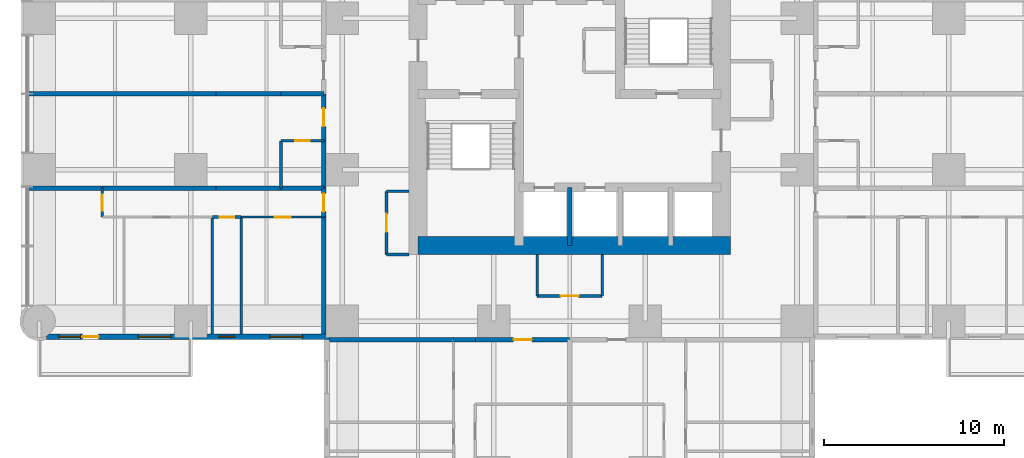
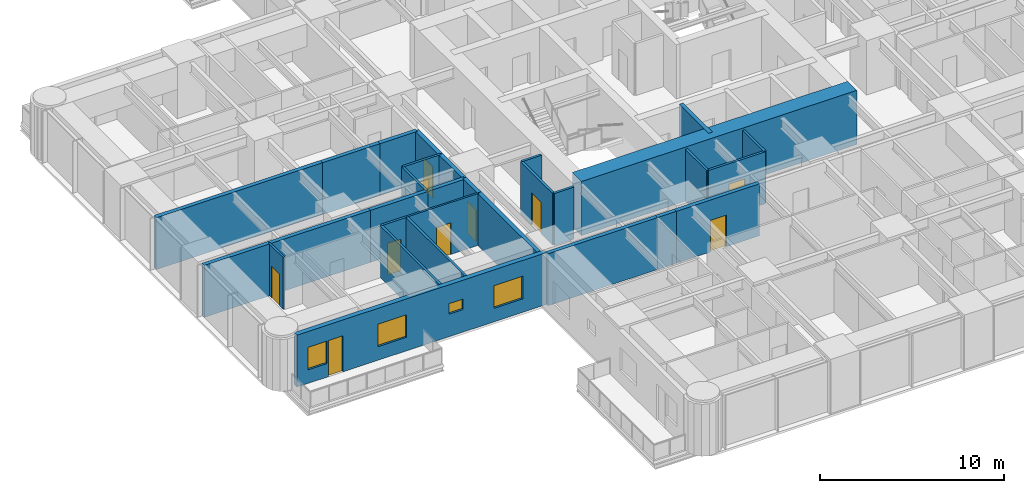
# One storey, part 8 of 17: 30 walls, 10 doors, 4 windows, 14 openings.
"""IFC4 building model written with IfcOpenShell, lengths in metres."""

from ifc_helpers import new_model, si_unit, direction, frame, frame_2d, origin, place, context, subcontext, project, spatial, rectangle, extrude, material, layer, layer_set, type_object, element, fill, save


model = new_model("IFC4")

# Units and contexts
model_context = context("Model", 3, precision=1e-05, world=origin(), true_north=direction((0.0, 1.0)))
body_context = subcontext(model_context, "Body", "Model", "MODEL_VIEW")
ifc_project = project(units=[si_unit("LENGTHUNIT", "METRE"), si_unit("AREAUNIT", "SQUARE_METRE"), si_unit("VOLUMEUNIT", "CUBIC_METRE"), si_unit("PLANEANGLEUNIT", "RADIAN"), si_unit("MASSUNIT", "GRAM", prefix="KILO")], contexts=[model_context])

# Site, building, storey
site_placement = place(None, origin())
site = spatial("IfcSite", under=ifc_project, at=site_placement, CompositionType="ELEMENT")
building_placement = place(site_placement, origin())
building = spatial("IfcBuilding", under=site, at=building_placement, Name="Torre Alcanfor", CompositionType="ELEMENT")
storey_placement = place(building_placement, frame((0.0, 0.0, 88.5)))
storey = spatial("IfcBuildingStorey", under=building, at=storey_placement, Name="L22", CompositionType="ELEMENT", Elevation=88.5)

# Wall, opening, door
ifc_material_1 = material(Name="Concrete block masonry, hollow blocks NMX-C-404 9 MPa", Category="masonry")
ifc_layer_1 = layer(ifc_material_1, 0.25)
ifc_layer_set_1 = layer_set([ifc_layer_1], Name="Apartment entrance wall 250 EI 60")
wall_type_1 = type_object("IfcWallType", Name="Apartment entrance wall 250 EI 60", PredefinedType="PARTITIONING", material=ifc_layer_set_1)
wall_1_placement = place(storey_placement, frame((29.39990234375, 15.77490234375, 0.0), z_axis=(0.0, 0.0, 1.0), x_axis=(-1.0, 0.0, 0.0)))
wall_1 = element("IfcWall", 1, at=wall_1_placement, inside=storey, type_object=wall_type_1, Name="Partition L22-CORR / L22-S2-ZAG", PredefinedType="PARTITIONING", context=body_context, shape_type="SweptSolid", body=[
    extrude(rectangle(XDim=5.22900390625, YDim=0.25, at=frame_2d((2.614501953125, 0.0))), origin(), (0.0, 0.0, 1.0), 3.449951171875),
])
opening_1_placement = place(wall_1_placement, frame((2.10009765625, 0.0, 0.0)))
opening_1 = element("IfcOpeningElement", 2, at=opening_1_placement, cuts=wall_1, Name="Opening D-A1", PredefinedType="OPENING", context=body_context, shape_type="SweptSolid", body=[
    extrude(rectangle(XDim=1.0, YDim=2.10009765625, at=frame_2d((0.5, 1.050048828125))), frame((0.0, 0.135009765625, 0.0), z_axis=(0.0, -1.0, 0.0), x_axis=(1.0, 0.0, 0.0)), (0.0, 0.0, 1.0), 0.27001953125),
])
ifc_material_2 = material(Name="Galvanised steel sheet ASTM A653", Category="steel")
door_type_1 = type_object("IfcDoorType", Name="Apartment entrance door FD60 1000x2100", OperationType="SINGLE_SWING_LEFT", PredefinedType="DOOR", material=ifc_material_2)
door_1_placement = place(opening_1_placement, origin())
door_1 = element("IfcDoor", 3, at=door_1_placement, inside=storey, type_object=door_type_1, Name="Apartment entrance L22-S2", OperationType="SINGLE_SWING_LEFT", OverallHeight=2.10009765625, OverallWidth=1.0, PredefinedType="DOOR", context=body_context, shape_type="SweptSolid", body=[
    extrude(rectangle(XDim=1.0, YDim=2.10009765625, at=frame_2d((0.5, 1.050048828125))), frame((0.0, 0.02490234375, 0.0), z_axis=(0.0, -1.0, 0.0), x_axis=(1.0, 0.0, 0.0)), (0.0, 0.0, 1.0), 0.050048828125),
])
fill(opening_1, door_1)

# Walls
wall_2_placement = place(storey_placement, frame((24.1708984375, 15.77490234375, 0.0), z_axis=(0.0, 0.0, 1.0), x_axis=(-1.0, 0.0, 0.0)))
element("IfcWall", 4, at=wall_2_placement, inside=storey, type_object=wall_type_1, Name="Partition L22-CORR / L22-S2-HALL", PredefinedType="PARTITIONING", context=body_context, shape_type="SweptSolid", body=[
    extrude(rectangle(XDim=1.199951171875, YDim=0.25, at=frame_2d((0.60009765625, 0.0))), origin(), (0.0, 0.0, 1.0), 3.449951171875),
])
wall_3_placement = place(storey_placement, frame((22.970947265625, 15.77490234375, 0.0), z_axis=(0.0, 0.0, 1.0), x_axis=(-1.0, 0.0, 0.0)))
element("IfcWall", 5, at=wall_3_placement, inside=storey, type_object=wall_type_1, Name="Partition L22-CORR / L22-S2-BED2", PredefinedType="PARTITIONING", context=body_context, shape_type="SweptSolid", body=[
    extrude(rectangle(XDim=6.870849609375, YDim=0.25, at=frame_2d((3.435546875, 0.0))), origin(), (0.0, 0.0, 1.0), 3.449951171875),
])

# Wall, opening, door
wall_4_placement = place(storey_placement, frame((15.77490234375, 26.800048828125, 0.0), z_axis=(0.0, 0.0, 1.0), x_axis=(0.0, 1.0, 0.0)))
wall_4 = element("IfcWall", 6, at=wall_4_placement, inside=storey, type_object=wall_type_1, Name="Partition L22-CORR / L22-W1A-FOYER", PredefinedType="PARTITIONING", context=body_context, shape_type="SweptSolid", body=[
    extrude(rectangle(XDim=2.599853515625, YDim=0.25, at=frame_2d((1.2998046875, 0.0))), origin(), (0.0, 0.0, 1.0), 3.449951171875),
])
opening_2_placement = place(wall_4_placement, frame((0.800048828125, 0.0, 0.0)))
opening_2 = element("IfcOpeningElement", 7, at=opening_2_placement, cuts=wall_4, Name="Opening D-A1", PredefinedType="OPENING", context=body_context, shape_type="SweptSolid", body=[
    extrude(rectangle(XDim=1.0, YDim=2.10009765625, at=frame_2d((0.5, 1.050048828125))), frame((0.0, 0.135009765625, 0.0), z_axis=(0.0, -1.0, 0.0), x_axis=(1.0, 0.0, 0.0)), (0.0, 0.0, 1.0), 0.27001953125),
])
door_2_placement = place(opening_2_placement, origin())
door_2 = element("IfcDoor", 8, at=door_2_placement, inside=storey, type_object=door_type_1, Name="Apartment entrance L22-W1A", OperationType="SINGLE_SWING_LEFT", OverallHeight=2.10009765625, OverallWidth=1.0, PredefinedType="DOOR", context=body_context, shape_type="SweptSolid", body=[
    extrude(rectangle(XDim=1.0, YDim=2.10009765625, at=frame_2d((0.5, 1.050048828125))), frame((0.0, 0.02490234375, 0.0), z_axis=(0.0, -1.0, 0.0), x_axis=(1.0, 0.0, 0.0)), (0.0, 0.0, 1.0), 0.050048828125),
])
fill(opening_2, door_2)

# Wall
wall_5_placement = place(storey_placement, frame((15.77490234375, 24.1708984375, 0.0), z_axis=(0.0, 0.0, 1.0), x_axis=(0.0, 1.0, 0.0)))
element("IfcWall", 9, at=wall_5_placement, inside=storey, type_object=wall_type_1, Name="Partition L22-CORR / L22-W1A-BATH", PredefinedType="PARTITIONING", context=body_context, shape_type="SweptSolid", body=[
    extrude(rectangle(XDim=2.629150390625, YDim=0.25, at=frame_2d((1.314453125, 0.0))), origin(), (0.0, 0.0, 1.0), 3.449951171875),
])

# Wall, opening, door
wall_6_placement = place(storey_placement, frame((15.77490234375, 22.571044921875, 0.0), z_axis=(0.0, 0.0, 1.0), x_axis=(0.0, 1.0, 0.0)))
wall_6 = element("IfcWall", 10, at=wall_6_placement, inside=storey, type_object=wall_type_1, Name="Partition L22-CORR / L22-W1B-HALL", PredefinedType="PARTITIONING", context=body_context, shape_type="SweptSolid", body=[
    extrude(rectangle(XDim=1.599853515625, YDim=0.25, at=frame_2d((0.7998046875, 0.0))), origin(), (0.0, 0.0, 1.0), 3.449951171875),
])
opening_3_placement = place(wall_6_placement, frame((0.300048828125, 0.0, 0.0)))
opening_3 = element("IfcOpeningElement", 11, at=opening_3_placement, cuts=wall_6, Name="Opening D-A1", PredefinedType="OPENING", context=body_context, shape_type="SweptSolid", body=[
    extrude(rectangle(XDim=1.0, YDim=2.10009765625, at=frame_2d((0.5, 1.050048828125))), frame((0.0, 0.135009765625, 0.0), z_axis=(0.0, -1.0, 0.0), x_axis=(1.0, 0.0, 0.0)), (0.0, 0.0, 1.0), 0.27001953125),
])
door_3_placement = place(opening_3_placement, origin())
door_3 = element("IfcDoor", 12, at=door_3_placement, inside=storey, type_object=door_type_1, Name="Apartment entrance L22-W1B", OperationType="SINGLE_SWING_LEFT", OverallHeight=2.10009765625, OverallWidth=1.0, PredefinedType="DOOR", context=body_context, shape_type="SweptSolid", body=[
    extrude(rectangle(XDim=1.0, YDim=2.10009765625, at=frame_2d((0.5, 1.050048828125))), frame((0.0, 0.02490234375, 0.0), z_axis=(0.0, -1.0, 0.0), x_axis=(1.0, 0.0, 0.0)), (0.0, 0.0, 1.0), 0.050048828125),
])
fill(opening_3, door_3)

# Wall
wall_7_placement = place(storey_placement, frame((15.77490234375, 16.10009765625, 0.0), z_axis=(0.0, 0.0, 1.0), x_axis=(0.0, 1.0, 0.0)))
element("IfcWall", 13, at=wall_7_placement, inside=storey, type_object=wall_type_1, Name="Partition L22-CORR / L22-W1B-BED2", PredefinedType="PARTITIONING", context=body_context, shape_type="SweptSolid", body=[
    extrude(rectangle(XDim=6.470947265625, YDim=0.25, at=frame_2d((3.2353515625, 0.0))), origin(), (0.0, 0.0, 1.0), 3.449951171875),
])

# Wall, opening, door
ifc_material_3 = material(Name="Gypsum board on steel studs", Category="steel")
ifc_layer_2 = layer(ifc_material_3, 0.1201171875)
ifc_layer_set_2 = layer_set([ifc_layer_2], Name="Apartment partition 120")
wall_type_2 = type_object("IfcWallType", Name="Apartment partition 120", PredefinedType="PARTITIONING", material=ifc_layer_set_2)
wall_8_placement = place(storey_placement, frame((11.199951171875, 22.571044921875, 0.0), z_axis=(0.0, 0.0, 1.0), x_axis=(1.0, 0.0, 0.0)))
wall_8 = element("IfcWall", 14, at=wall_8_placement, inside=storey, type_object=wall_type_2, Name="Partition L22-W1B-HALL / L22-W1B-BED2", PredefinedType="PARTITIONING", context=body_context, shape_type="SweptSolid", body=[
    extrude(rectangle(XDim=4.574951171875, YDim=0.1201171875, at=frame_2d((2.28759765625, 0.0))), origin(), (0.0, 0.0, 1.0), 3.449951171875),
])
opening_4_placement = place(wall_8_placement, frame((1.85009765625, 0.0, 0.0)))
opening_4 = element("IfcOpeningElement", 15, at=opening_4_placement, cuts=wall_8, Name="Opening D-R1", PredefinedType="OPENING", context=body_context, shape_type="SweptSolid", body=[
    extrude(rectangle(XDim=0.89990234375, YDim=2.10009765625, at=frame_2d((0.449951171875, 1.050048828125))), frame((0.0, 0.070068359375, 0.0), z_axis=(0.0, -1.0, 0.0), x_axis=(1.0, 0.0, 0.0)), (0.0, 0.0, 1.0), 0.14013671875),
])
ifc_material_4 = material(Name="Timber", Category="wood")
door_type_2 = type_object("IfcDoorType", Name="Internal door 900x2100", OperationType="SINGLE_SWING_LEFT", PredefinedType="DOOR", material=ifc_material_4)
door_4_placement = place(opening_4_placement, frame((0.89990234375, 0.0, 0.0), z_axis=(0.0, 0.0, 1.0), x_axis=(-1.0, 0.0, 0.0)))
door_4 = element("IfcDoor", 16, at=door_4_placement, inside=storey, type_object=door_type_2, Name="Door L22-W1B bed2", OperationType="SINGLE_SWING_LEFT", OverallHeight=2.10009765625, OverallWidth=0.89990234375, PredefinedType="DOOR", context=body_context, shape_type="SweptSolid", body=[
    extrude(rectangle(XDim=0.89990234375, YDim=2.10009765625, at=frame_2d((0.449951171875, 1.050048828125))), frame((0.0, 0.025146484375, 0.0), z_axis=(0.0, -1.0, 0.0), x_axis=(1.0, 0.0, 0.0)), (0.0, 0.0, 1.0), 0.050048828125),
])
fill(opening_4, door_4)

wall_9_placement = place(storey_placement, frame((3.5, 24.1708984375, 0.0), z_axis=(0.0, 0.0, 1.0), x_axis=(0.0, -1.0, 0.0)))
wall_9 = element("IfcWall", 17, at=wall_9_placement, inside=storey, type_object=wall_type_2, Name="Partition L22-W1B-HALL / L22-W1B-LIVING", PredefinedType="PARTITIONING", context=body_context, shape_type="SweptSolid", body=[
    extrude(rectangle(XDim=1.599853515625, YDim=0.1201171875, at=frame_2d((0.7998046875, 0.0))), origin(), (0.0, 0.0, 1.0), 3.449951171875),
])
opening_5_placement = place(wall_9_placement, frame((0.35009765625, 0.0, 0.0)))
opening_5 = element("IfcOpeningElement", 18, at=opening_5_placement, cuts=wall_9, Name="Opening D-R1", PredefinedType="OPENING", context=body_context, shape_type="SweptSolid", body=[
    extrude(rectangle(XDim=0.89990234375, YDim=2.10009765625, at=frame_2d((0.449951171875, 1.050048828125))), frame((0.0, 0.070068359375, 0.0), z_axis=(0.0, -1.0, 0.0), x_axis=(1.0, 0.0, 0.0)), (0.0, 0.0, 1.0), 0.14013671875),
])
door_5_placement = place(opening_5_placement, frame((0.89990234375, 0.0, 0.0), z_axis=(0.0, 0.0, 1.0), x_axis=(-1.0, 0.0, 0.0)))
door_5 = element("IfcDoor", 19, at=door_5_placement, inside=storey, type_object=door_type_2, Name="Door L22-W1B living", OperationType="SINGLE_SWING_RIGHT", OverallHeight=2.10009765625, OverallWidth=0.89990234375, PredefinedType="DOOR", context=body_context, shape_type="SweptSolid", body=[
    extrude(rectangle(XDim=0.89990234375, YDim=2.10009765625, at=frame_2d((0.449951171875, 1.050048828125))), frame((0.0, 0.025146484375, 0.0), z_axis=(0.0, -1.0, 0.0), x_axis=(1.0, 0.0, 0.0)), (0.0, 0.0, 1.0), 0.050048828125),
])
fill(opening_5, door_5)

# Walls
ifc_material_5 = material(Name="Concrete f'c 70 MPa", Category="concrete")
ifc_layer_3 = layer(ifc_material_5, 0.25)
ifc_layer_set_3 = layer_set([ifc_layer_3], Name="Core shaft wall 250 f'c70")
wall_type_3 = type_object("IfcWallType", Name="Core shaft wall 250 f'c70", PredefinedType="SHEAR", material=ifc_layer_set_3)
wall_10_placement = place(storey_placement, frame((29.39990234375, 21.0, 0.0), z_axis=(0.0, 0.0, 1.0), x_axis=(0.0, 1.0, 0.0)))
element("IfcWall", 20, at=wall_10_placement, inside=storey, type_object=wall_type_3, Name="Core wall X294S L22", PredefinedType="SHEAR", context=body_context, shape_type="SweptSolid", body=[
    extrude(rectangle(XDim=3.199951171875, YDim=0.25, at=frame_2d((1.60009765625, 0.0))), origin(), (0.0, 0.0, 1.0), 3.60009765625),
])
ifc_material_6 = material(Name="Concrete f'c 70 MPa", Category="concrete")
ifc_layer_4 = layer(ifc_material_6, 1.0)
ifc_layer_set_4 = layer_set([ifc_layer_4], Name="Core wall 1000 f'c70")
wall_type_4 = type_object("IfcWallType", Name="Core wall 1000 f'c70", PredefinedType="SHEAR", material=ifc_layer_set_4)
wall_11_placement = place(storey_placement, frame((21.0, 21.0, 0.0), z_axis=(0.0, 0.0, 1.0), x_axis=(1.0, 0.0, 0.0)))
element("IfcWall", 21, at=wall_11_placement, inside=storey, type_object=wall_type_4, Name="Core wall OUT-S L22", PredefinedType="SHEAR", context=body_context, shape_type="SweptSolid", body=[
    extrude(rectangle(XDim=17.300048828125, YDim=1.0, at=frame_2d((8.64990234375, 0.0))), origin(), (0.0, 0.0, 1.0), 3.60009765625),
])

# Wall, openings, door, windows
ifc_material_7 = material(Name="Limestone cladding", Category="masonry")
ifc_layer_5 = layer(ifc_material_7, 0.0400390625, Name="Facing")
ifc_material_8 = material(Name="Ventilated air cavity")
ifc_layer_6 = layer(ifc_material_8, 0.02001953125, ventilated=True, Name="Ventilated joint")
ifc_material_9 = material(Name="Mineral wool insulation", Category="insulation")
ifc_layer_7 = layer(ifc_material_9, 0.10009765625, Name="Insulation")
ifc_material_10 = material(Name="Concrete f'c 35 MPa", Category="concrete")
ifc_layer_8 = layer(ifc_material_10, 0.139892578125, Name="Backing")
ifc_layer_set_5 = layer_set([ifc_layer_5, ifc_layer_6, ifc_layer_7, ifc_layer_8], Name="External wall stone-clad 300")
wall_type_5 = type_object("IfcWallType", Name="External wall stone-clad 300", PredefinedType="SOLIDWALL", material=ifc_layer_set_5)
wall_12_placement = place(storey_placement, frame((0.39990234375, 15.949951171875, 0.0), z_axis=(0.0, 0.0, 1.0), x_axis=(1.0, 0.0, 0.0)))
wall_12 = element("IfcWall", 22, at=wall_12_placement, inside=storey, type_object=wall_type_5, Name="External wall L22 3", PredefinedType="SOLIDWALL", context=body_context, shape_type="SweptSolid", body=[
    extrude(rectangle(XDim=15.7001953125, YDim=0.300048828125, at=frame_2d((7.85009765625, 0.0))), origin(), (0.0, 0.0, 1.0), 3.449951171875),
])
opening_6_placement = place(wall_12_placement, frame((12.39990234375, 0.0, 0.89990234375)))
opening_6 = element("IfcOpeningElement", 23, at=opening_6_placement, cuts=wall_12, Name="Opening W2", PredefinedType="OPENING", context=body_context, shape_type="SweptSolid", body=[
    extrude(rectangle(XDim=1.800048828125, YDim=1.5, at=frame_2d((0.89990234375, 0.75))), frame((0.0, 0.159912109375, 0.0), z_axis=(0.0, -1.0, 0.0), x_axis=(1.0, 0.0, 0.0)), (0.0, 0.0, 1.0), 0.320068359375),
])
opening_7_placement = place(wall_12_placement, frame((9.550048828125, 0.0, 1.5)))
opening_7 = element("IfcOpeningElement", 24, at=opening_7_placement, cuts=wall_12, Name="Opening W3", PredefinedType="OPENING", context=body_context, shape_type="SweptSolid", body=[
    extrude(rectangle(XDim=0.89990234375, YDim=0.699951171875, at=frame_2d((0.449951171875, 0.35009765625))), frame((0.0, 0.159912109375, 0.0), z_axis=(0.0, -1.0, 0.0), x_axis=(1.0, 0.0, 0.0)), (0.0, 0.0, 1.0), 0.320068359375),
])
opening_8_placement = place(wall_12_placement, frame((5.10009765625, 0.0, 0.89990234375)))
opening_8 = element("IfcOpeningElement", 25, at=opening_8_placement, cuts=wall_12, Name="Opening W2", PredefinedType="OPENING", context=body_context, shape_type="SweptSolid", body=[
    extrude(rectangle(XDim=1.800048828125, YDim=1.5, at=frame_2d((0.89990234375, 0.75))), frame((0.0, 0.159912109375, 0.0), z_axis=(0.0, -1.0, 0.0), x_axis=(1.0, 0.0, 0.0)), (0.0, 0.0, 1.0), 0.320068359375),
])
opening_9_placement = place(wall_12_placement, frame((2.0, 0.0, 0.0)))
opening_9 = element("IfcOpeningElement", 26, at=opening_9_placement, cuts=wall_12, Name="Opening D-B1", PredefinedType="OPENING", context=body_context, shape_type="SweptSolid", body=[
    extrude(rectangle(XDim=0.89990234375, YDim=2.39990234375, at=frame_2d((0.449951171875, 1.199951171875))), frame((0.0, 0.159912109375, 0.0), z_axis=(0.0, -1.0, 0.0), x_axis=(1.0, 0.0, 0.0)), (0.0, 0.0, 1.0), 0.320068359375),
])
opening_10_placement = place(wall_12_placement, frame((0.699951171875, 0.0, 0.89990234375)))
opening_10 = element("IfcOpeningElement", 27, at=opening_10_placement, cuts=wall_12, Name="Opening W4", PredefinedType="OPENING", context=body_context, shape_type="SweptSolid", body=[
    extrude(rectangle(XDim=1.199951171875, YDim=1.5, at=frame_2d((0.60009765625, 0.75))), frame((0.0, 0.159912109375, 0.0), z_axis=(0.0, -1.0, 0.0), x_axis=(1.0, 0.0, 0.0)), (0.0, 0.0, 1.0), 0.320068359375),
])
ifc_material_11 = material(Name="Aluminium and glass", Category="aluminium")
door_type_3 = type_object("IfcDoorType", Name="Balcony door glazed 900x2400", OperationType="SINGLE_SWING_LEFT", PredefinedType="DOOR", material=ifc_material_11)
door_6_placement = place(opening_9_placement, origin())
door_6 = element("IfcDoor", 28, at=door_6_placement, inside=storey, type_object=door_type_3, Name="Balcony door L22-W1", OperationType="SINGLE_SWING_RIGHT", OverallHeight=2.39990234375, OverallWidth=0.89990234375, PredefinedType="DOOR", context=body_context, shape_type="SweptSolid", body=[
    extrude(rectangle(XDim=0.89990234375, YDim=2.39990234375, at=frame_2d((0.449951171875, 1.199951171875))), frame((0.0, 0.02490234375, 0.0), z_axis=(0.0, -1.0, 0.0), x_axis=(1.0, 0.0, 0.0)), (0.0, 0.0, 1.0), 0.050048828125),
])
fill(opening_9, door_6)
ifc_material_12 = material(Name="Aluminium frame with clear double glazing", Category="aluminium")
window_type_1 = type_object("IfcWindowType", Name="Window bathroom 900x700", PartitioningType="SINGLE_PANEL", PredefinedType="WINDOW", material=ifc_material_12)
window_1_placement = place(opening_7_placement, origin())
window_1 = element("IfcWindow", 29, at=window_1_placement, inside=storey, type_object=window_type_1, Name="Window W3 L22-W1", OverallHeight=0.699951171875, OverallWidth=0.89990234375, PartitioningType="SINGLE_PANEL", PredefinedType="WINDOW", context=body_context, shape_type="SweptSolid", body=[
    extrude(rectangle(XDim=0.89990234375, YDim=0.699951171875, at=frame_2d((0.449951171875, 0.35009765625))), frame((0.0, 0.030029296875, 0.0), z_axis=(0.0, -1.0, 0.0), x_axis=(1.0, 0.0, 0.0)), (0.0, 0.0, 1.0), 0.06005859375),
])
fill(opening_7, window_1)
ifc_material_13 = material(Name="Aluminium frame with clear double glazing", Category="aluminium")
window_type_2 = type_object("IfcWindowType", Name="Window bedroom 1200x1500", PartitioningType="SINGLE_PANEL", PredefinedType="WINDOW", material=ifc_material_13)
window_2_placement = place(opening_10_placement, origin())
window_2 = element("IfcWindow", 30, at=window_2_placement, inside=storey, type_object=window_type_2, Name="Window W4 L22-W1", OverallHeight=1.5, OverallWidth=1.199951171875, PartitioningType="SINGLE_PANEL", PredefinedType="WINDOW", context=body_context, shape_type="SweptSolid", body=[
    extrude(rectangle(XDim=1.199951171875, YDim=1.5, at=frame_2d((0.60009765625, 0.75))), frame((0.0, 0.030029296875, 0.0), z_axis=(0.0, -1.0, 0.0), x_axis=(1.0, 0.0, 0.0)), (0.0, 0.0, 1.0), 0.06005859375),
])
fill(opening_10, window_2)
ifc_material_14 = material(Name="Aluminium frame with clear double glazing", Category="aluminium")
window_type_3 = type_object("IfcWindowType", Name="Window bedroom 1800x1500", PartitioningType="SINGLE_PANEL", PredefinedType="WINDOW", material=ifc_material_14)
window_3_placement = place(opening_6_placement, origin())
window_3 = element("IfcWindow", 31, at=window_3_placement, inside=storey, type_object=window_type_3, Name="Window W2 L22-W1", OverallHeight=1.5, OverallWidth=1.800048828125, PartitioningType="SINGLE_PANEL", PredefinedType="WINDOW", context=body_context, shape_type="SweptSolid", body=[
    extrude(rectangle(XDim=1.800048828125, YDim=1.5, at=frame_2d((0.89990234375, 0.75))), frame((0.0, 0.030029296875, 0.0), z_axis=(0.0, -1.0, 0.0), x_axis=(1.0, 0.0, 0.0)), (0.0, 0.0, 1.0), 0.06005859375),
])
fill(opening_6, window_3)
window_4_placement = place(opening_8_placement, origin())
window_4 = element("IfcWindow", 32, at=window_4_placement, inside=storey, type_object=window_type_3, Name="Window W2 L22-W1", OverallHeight=1.5, OverallWidth=1.800048828125, PartitioningType="SINGLE_PANEL", PredefinedType="WINDOW", context=body_context, shape_type="SweptSolid", body=[
    extrude(rectangle(XDim=1.800048828125, YDim=1.5, at=frame_2d((0.89990234375, 0.75))), frame((0.0, 0.030029296875, 0.0), z_axis=(0.0, -1.0, 0.0), x_axis=(1.0, 0.0, 0.0)), (0.0, 0.0, 1.0), 0.06005859375),
])
fill(opening_8, window_4)

# Walls
ifc_material_15 = material(Name="Concrete block masonry, hollow blocks NMX-C-404 9 MPa", Category="masonry")
ifc_layer_9 = layer(ifc_material_15, 0.25)
ifc_layer_set_6 = layer_set([ifc_layer_9], Name="Party wall 250 EI 60")
wall_type_6 = type_object("IfcWallType", Name="Party wall 250 EI 60", PredefinedType="PARTITIONING", material=ifc_layer_set_6)
for number, where, z_axis, x_axis, name in (
    (33, (15.77490234375, 29.39990234375, 0.0), (0.0, 0.0, 1.0), (-1.0, 0.0, 0.0), "Partition L22-W1A-FOYER / L22-W2A-FOYER"),
    (34, (13.39990234375, 24.1708984375, 0.0), (0.0, 0.0, 1.0), (1.0, 0.0, 0.0), "Partition L22-W1A-BATH / L22-W1B-HALL"),
):
    element("IfcWall", number, at=place(storey_placement, frame(where, z_axis=z_axis, x_axis=x_axis)), inside=storey, type_object=wall_type_6, Name=name, PredefinedType="PARTITIONING", context=body_context, shape_type="SweptSolid", body=[
        extrude(rectangle(XDim=2.375, YDim=0.25, at=frame_2d((1.1875, 0.0))), origin(), (0.0, 0.0, 1.0), 3.449951171875),
    ])
for number, where, z_axis, x_axis, name in (
    (35, (9.800048828125, 24.1708984375, 0.0), (0.0, 0.0, 1.0), (1.0, 0.0, 0.0), "Partition L22-W1A-KITCHEN / L22-W1B-HALL"),
    (36, (13.39990234375, 29.39990234375, 0.0), (0.0, 0.0, 1.0), (-1.0, 0.0, 0.0), "Partition L22-W1A-KITCHEN / L22-W2A-KITCHEN"),
):
    element("IfcWall", number, at=place(storey_placement, frame(where, z_axis=z_axis, x_axis=x_axis)), inside=storey, type_object=wall_type_6, Name=name, PredefinedType="PARTITIONING", context=body_context, shape_type="SweptSolid", body=[
        extrude(rectangle(XDim=3.599853515625, YDim=0.25, at=frame_2d((1.7998046875, 0.0))), origin(), (0.0, 0.0, 1.0), 3.449951171875),
    ])
wall_13_placement = place(storey_placement, frame((3.5, 24.1708984375, 0.0), z_axis=(0.0, 0.0, 1.0), x_axis=(1.0, 0.0, 0.0)))
element("IfcWall", 37, at=wall_13_placement, inside=storey, type_object=wall_type_6, Name="Partition L22-W1A-STUDIO / L22-W1B-HALL", PredefinedType="PARTITIONING", context=body_context, shape_type="SweptSolid", body=[
    extrude(rectangle(XDim=6.300048828125, YDim=0.25, at=frame_2d((3.14990234375, 0.0))), origin(), (0.0, 0.0, 1.0), 3.449951171875),
])
wall_14_placement = place(storey_placement, frame((-0.64990234375, 24.1708984375, 0.0), z_axis=(0.0, 0.0, 1.0), x_axis=(1.0, 0.0, 0.0)))
element("IfcWall", 38, at=wall_14_placement, inside=storey, type_object=wall_type_6, Name="Partition L22-W1A-STUDIO / L22-W1B-LIVING", PredefinedType="PARTITIONING", context=body_context, shape_type="SweptSolid", body=[
    extrude(rectangle(XDim=4.14990234375, YDim=0.25, at=frame_2d((2.074951171875, 0.0))), origin(), (0.0, 0.0, 1.0), 3.449951171875),
])
wall_15_placement = place(storey_placement, frame((9.800048828125, 29.39990234375, 0.0), z_axis=(0.0, 0.0, 1.0), x_axis=(-1.0, 0.0, 0.0)))
element("IfcWall", 39, at=wall_15_placement, inside=storey, type_object=wall_type_6, Name="Partition L22-W1A-STUDIO / L22-W2A-STUDIO", PredefinedType="PARTITIONING", context=body_context, shape_type="SweptSolid", body=[
    extrude(rectangle(XDim=10.449951171875, YDim=0.25, at=frame_2d((5.22509765625, 0.0))), origin(), (0.0, 0.0, 1.0), 3.449951171875),
])
ifc_material_16 = material(Name="Concrete block masonry, hollow blocks NMX-C-404 9 MPa", Category="masonry")
ifc_layer_10 = layer(ifc_material_16, 0.14990234375)
ifc_layer_set_7 = layer_set([ifc_layer_10], Name="Residents' room partition 150")
wall_type_7 = type_object("IfcWallType", Name="Residents' room partition 150", PredefinedType="PARTITIONING", material=ifc_layer_set_7)
wall_16_placement = place(storey_placement, frame((27.60009765625, 20.5, 0.0), z_axis=(0.0, 0.0, 1.0), x_axis=(0.0, -1.0, 0.0)))
element("IfcWall", 40, at=wall_16_placement, inside=storey, type_object=wall_type_7, Name="Partition L22-CORR / L22-G03", PredefinedType="PARTITIONING", context=body_context, shape_type="SweptSolid", body=[
    extrude(rectangle(XDim=2.300048828125, YDim=0.14990234375, at=frame_2d((1.14990234375, 0.0))), origin(), (0.0, 0.0, 1.0), 3.449951171875),
])

# Wall, opening, door
wall_17_placement = place(storey_placement, frame((27.60009765625, 18.199951171875, 0.0), z_axis=(0.0, 0.0, 1.0), x_axis=(1.0, 0.0, 0.0)))
wall_17 = element("IfcWall", 41, at=wall_17_placement, inside=storey, type_object=wall_type_7, Name="Partition L22-CORR / L22-G03", PredefinedType="PARTITIONING", context=body_context, shape_type="SweptSolid", body=[
    extrude(rectangle(XDim=3.599853515625, YDim=0.14990234375, at=frame_2d((1.7998046875, 0.0))), origin(), (0.0, 0.0, 1.0), 3.449951171875),
])
opening_11_placement = place(wall_17_placement, frame((1.300048828125, 0.0, 0.0)))
opening_11 = element("IfcOpeningElement", 42, at=opening_11_placement, cuts=wall_17, Name="Opening D-M1", PredefinedType="OPENING", context=body_context, shape_type="SweptSolid", body=[
    extrude(rectangle(XDim=1.0, YDim=2.10009765625, at=frame_2d((0.5, 1.050048828125))), frame((0.0, 0.0849609375, 0.0), z_axis=(0.0, -1.0, 0.0), x_axis=(1.0, 0.0, 0.0)), (0.0, 0.0, 1.0), 0.169921875),
])
ifc_material_17 = material(Name="Timber", Category="wood")
door_type_4 = type_object("IfcDoorType", Name="Residents' room door 1000x2100", OperationType="SINGLE_SWING_LEFT", PredefinedType="DOOR", material=ifc_material_17)
door_7_placement = place(opening_11_placement, origin())
door_7 = element("IfcDoor", 43, at=door_7_placement, inside=storey, type_object=door_type_4, Name="Door L22-G03 cleaners' store", OperationType="SINGLE_SWING_LEFT", OverallHeight=2.10009765625, OverallWidth=1.0, PredefinedType="DOOR", context=body_context, shape_type="SweptSolid", body=[
    extrude(rectangle(XDim=1.0, YDim=2.10009765625, at=frame_2d((0.5, 1.050048828125))), frame((0.0, 0.02490234375, 0.0), z_axis=(0.0, -1.0, 0.0), x_axis=(1.0, 0.0, 0.0)), (0.0, 0.0, 1.0), 0.050048828125),
])
fill(opening_11, door_7)

# Walls
wall_18_placement = place(storey_placement, frame((31.199951171875, 18.199951171875, 0.0), z_axis=(0.0, 0.0, 1.0), x_axis=(0.0, 1.0, 0.0)))
element("IfcWall", 44, at=wall_18_placement, inside=storey, type_object=wall_type_7, Name="Partition L22-CORR / L22-G03", PredefinedType="PARTITIONING", context=body_context, shape_type="SweptSolid", body=[
    extrude(rectangle(XDim=2.300048828125, YDim=0.14990234375, at=frame_2d((1.14990234375, 0.0))), origin(), (0.0, 0.0, 1.0), 3.449951171875),
])
wall_19_placement = place(storey_placement, frame((20.5, 24.0, 0.0), z_axis=(0.0, 0.0, 1.0), x_axis=(-1.0, 0.0, 0.0)))
element("IfcWall", 45, at=wall_19_placement, inside=storey, type_object=wall_type_7, Name="Partition L22-CORR / L22-G04", PredefinedType="PARTITIONING", context=body_context, shape_type="SweptSolid", body=[
    extrude(rectangle(XDim=1.25, YDim=0.14990234375, at=frame_2d((0.625, 0.0))), origin(), (0.0, 0.0, 1.0), 3.449951171875),
])

# Wall, opening, door
wall_20_placement = place(storey_placement, frame((19.25, 24.0, 0.0), z_axis=(0.0, 0.0, 1.0), x_axis=(0.0, -1.0, 0.0)))
wall_20 = element("IfcWall", 46, at=wall_20_placement, inside=storey, type_object=wall_type_7, Name="Partition L22-CORR / L22-G04", PredefinedType="PARTITIONING", context=body_context, shape_type="SweptSolid", body=[
    extrude(rectangle(XDim=3.5, YDim=0.14990234375, at=frame_2d((1.75, 0.0))), origin(), (0.0, 0.0, 1.0), 3.449951171875),
])
opening_12_placement = place(wall_20_placement, frame((1.25, 0.0, 0.0)))
opening_12 = element("IfcOpeningElement", 47, at=opening_12_placement, cuts=wall_20, Name="Opening D-M1", PredefinedType="OPENING", context=body_context, shape_type="SweptSolid", body=[
    extrude(rectangle(XDim=1.0, YDim=2.10009765625, at=frame_2d((0.5, 1.050048828125))), frame((0.0, 0.0849609375, 0.0), z_axis=(0.0, -1.0, 0.0), x_axis=(1.0, 0.0, 0.0)), (0.0, 0.0, 1.0), 0.169921875),
])
door_8_placement = place(opening_12_placement, origin())
door_8 = element("IfcDoor", 48, at=door_8_placement, inside=storey, type_object=door_type_4, Name="Door L22-G04 pram and buggy store", OperationType="SINGLE_SWING_LEFT", OverallHeight=2.10009765625, OverallWidth=1.0, PredefinedType="DOOR", context=body_context, shape_type="SweptSolid", body=[
    extrude(rectangle(XDim=1.0, YDim=2.10009765625, at=frame_2d((0.5, 1.050048828125))), frame((0.0, 0.02490234375, 0.0), z_axis=(0.0, -1.0, 0.0), x_axis=(1.0, 0.0, 0.0)), (0.0, 0.0, 1.0), 0.050048828125),
])
fill(opening_12, door_8)

# Wall
wall_21_placement = place(storey_placement, frame((19.25, 20.5, 0.0), z_axis=(0.0, 0.0, 1.0), x_axis=(1.0, 0.0, 0.0)))
element("IfcWall", 49, at=wall_21_placement, inside=storey, type_object=wall_type_7, Name="Partition L22-CORR / L22-G04", PredefinedType="PARTITIONING", context=body_context, shape_type="SweptSolid", body=[
    extrude(rectangle(XDim=1.25, YDim=0.14990234375, at=frame_2d((0.625, 0.0))), origin(), (0.0, 0.0, 1.0), 3.449951171875),
])

# Wall, opening, door
ifc_material_18 = material(Name="Cement board on steel studs", Category="steel")
ifc_layer_11 = layer(ifc_material_18, 0.14990234375)
ifc_layer_set_8 = layer_set([ifc_layer_11], Name="Wet area partition 150")
wall_type_8 = type_object("IfcWallType", Name="Wet area partition 150", PredefinedType="PARTITIONING", material=ifc_layer_set_8)
wall_22_placement = place(storey_placement, frame((13.39990234375, 26.800048828125, 0.0), z_axis=(0.0, 0.0, 1.0), x_axis=(1.0, 0.0, 0.0)))
wall_22 = element("IfcWall", 50, at=wall_22_placement, inside=storey, type_object=wall_type_8, Name="Partition L22-W1A-FOYER / L22-W1A-BATH", PredefinedType="PARTITIONING", context=body_context, shape_type="SweptSolid", body=[
    extrude(rectangle(XDim=2.375, YDim=0.14990234375, at=frame_2d((1.1875, 0.0))), origin(), (0.0, 0.0, 1.0), 3.449951171875),
])
opening_13_placement = place(wall_22_placement, frame((0.800048828125, 0.0, 0.0)))
opening_13 = element("IfcOpeningElement", 51, at=opening_13_placement, cuts=wall_22, Name="Opening D-R2", PredefinedType="OPENING", context=body_context, shape_type="SweptSolid", body=[
    extrude(rectangle(XDim=0.800048828125, YDim=2.10009765625, at=frame_2d((0.39990234375, 1.050048828125))), frame((0.0, 0.0849609375, 0.0), z_axis=(0.0, -1.0, 0.0), x_axis=(1.0, 0.0, 0.0)), (0.0, 0.0, 1.0), 0.169921875),
])
ifc_material_19 = material(Name="Timber", Category="wood")
door_type_5 = type_object("IfcDoorType", Name="Bathroom door 800x2100", OperationType="SINGLE_SWING_LEFT", PredefinedType="DOOR", material=ifc_material_19)
door_9_placement = place(opening_13_placement, frame((0.800048828125, 0.0, 0.0), z_axis=(0.0, 0.0, 1.0), x_axis=(-1.0, 0.0, 0.0)))
door_9 = element("IfcDoor", 52, at=door_9_placement, inside=storey, type_object=door_type_5, Name="Door L22-W1A bath", OperationType="SINGLE_SWING_LEFT", OverallHeight=2.10009765625, OverallWidth=0.800048828125, PredefinedType="DOOR", context=body_context, shape_type="SweptSolid", body=[
    extrude(rectangle(XDim=0.800048828125, YDim=2.10009765625, at=frame_2d((0.400146484375, 1.050048828125))), frame((0.0, 0.025146484375, 0.0), z_axis=(0.0, -1.0, 0.0), x_axis=(1.0, 0.0, 0.0)), (0.0, 0.0, 1.0), 0.050048828125),
])
fill(opening_13, door_9)

# Wall
wall_23_placement = place(storey_placement, frame((13.39990234375, 26.800048828125, 0.0), z_axis=(0.0, 0.0, 1.0), x_axis=(0.0, -1.0, 0.0)))
element("IfcWall", 53, at=wall_23_placement, inside=storey, type_object=wall_type_8, Name="Partition L22-W1A-BATH / L22-W1A-KITCHEN", PredefinedType="PARTITIONING", context=body_context, shape_type="SweptSolid", body=[
    extrude(rectangle(XDim=2.629150390625, YDim=0.14990234375, at=frame_2d((1.314453125, 0.0))), origin(), (0.0, 0.0, 1.0), 3.449951171875),
])

# Wall, opening, door
wall_24_placement = place(storey_placement, frame((9.60009765625, 22.571044921875, 0.0), z_axis=(0.0, 0.0, 1.0), x_axis=(1.0, 0.0, 0.0)))
wall_24 = element("IfcWall", 54, at=wall_24_placement, inside=storey, type_object=wall_type_8, Name="Partition L22-W1B-HALL / L22-W1B-BATH", PredefinedType="PARTITIONING", context=body_context, shape_type="SweptSolid", body=[
    extrude(rectangle(XDim=1.599853515625, YDim=0.14990234375, at=frame_2d((0.7998046875, 0.0))), origin(), (0.0, 0.0, 1.0), 3.449951171875),
])
opening_14_placement = place(wall_24_placement, frame((0.39990234375, 0.0, 0.0)))
opening_14 = element("IfcOpeningElement", 55, at=opening_14_placement, cuts=wall_24, Name="Opening D-R2", PredefinedType="OPENING", context=body_context, shape_type="SweptSolid", body=[
    extrude(rectangle(XDim=0.800048828125, YDim=2.10009765625, at=frame_2d((0.39990234375, 1.050048828125))), frame((0.0, 0.0849609375, 0.0), z_axis=(0.0, -1.0, 0.0), x_axis=(1.0, 0.0, 0.0)), (0.0, 0.0, 1.0), 0.169921875),
])
door_10_placement = place(opening_14_placement, frame((0.800048828125, 0.0, 0.0), z_axis=(0.0, 0.0, 1.0), x_axis=(-1.0, 0.0, 0.0)))
door_10 = element("IfcDoor", 56, at=door_10_placement, inside=storey, type_object=door_type_5, Name="Door L22-W1B bath", OperationType="SINGLE_SWING_RIGHT", OverallHeight=2.10009765625, OverallWidth=0.800048828125, PredefinedType="DOOR", context=body_context, shape_type="SweptSolid", body=[
    extrude(rectangle(XDim=0.800048828125, YDim=2.10009765625, at=frame_2d((0.400146484375, 1.050048828125))), frame((0.0, 0.025146484375, 0.0), z_axis=(0.0, -1.0, 0.0), x_axis=(1.0, 0.0, 0.0)), (0.0, 0.0, 1.0), 0.050048828125),
])
fill(opening_14, door_10)

# Walls
for number, where, z_axis, x_axis, name in (
    (57, (11.199951171875, 22.571044921875, 0.0), (0.0, 0.0, 1.0), (0.0, -1.0, 0.0), "Partition L22-W1B-BED2 / L22-W1B-BATH"),
    (58, (9.60009765625, 22.571044921875, 0.0), (0.0, 0.0, 1.0), (0.0, -1.0, 0.0), "Partition L22-W1B-BATH / L22-W1B-MASTER"),
):
    element("IfcWall", number, at=place(storey_placement, frame(where, z_axis=z_axis, x_axis=x_axis)), inside=storey, type_object=wall_type_8, Name=name, PredefinedType="PARTITIONING", context=body_context, shape_type="SweptSolid", body=[
        extrude(rectangle(XDim=6.470947265625, YDim=0.14990234375, at=frame_2d((3.2353515625, 0.0))), origin(), (0.0, 0.0, 1.0), 3.449951171875),
    ])

save(model, "model.ifc")
